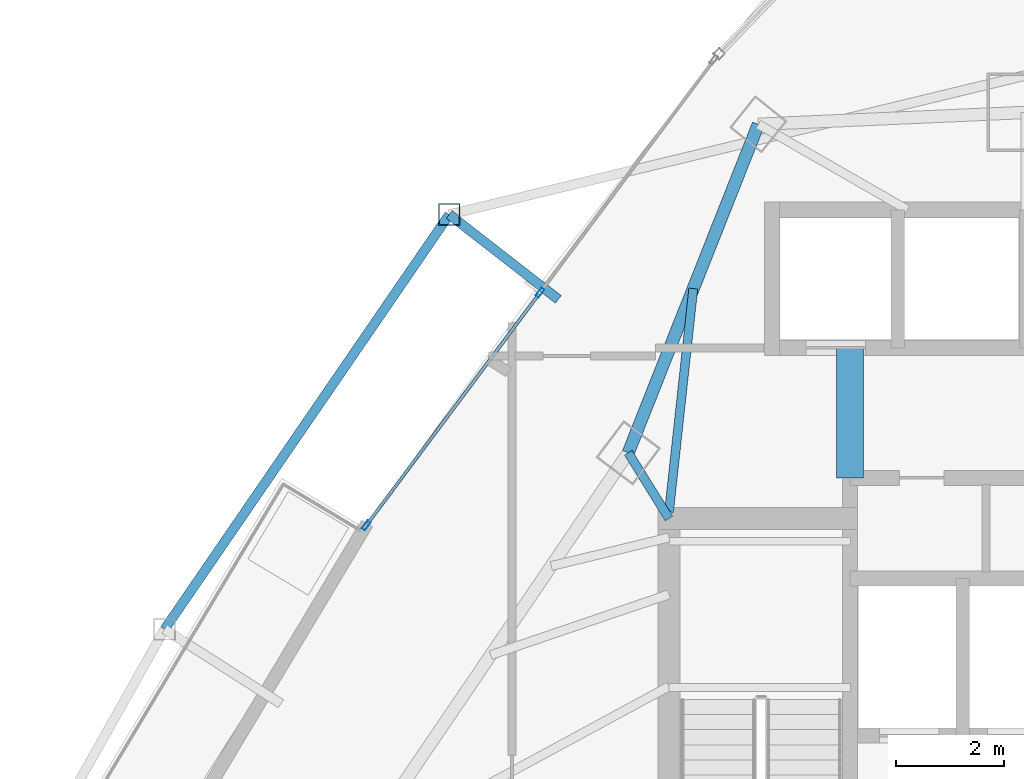
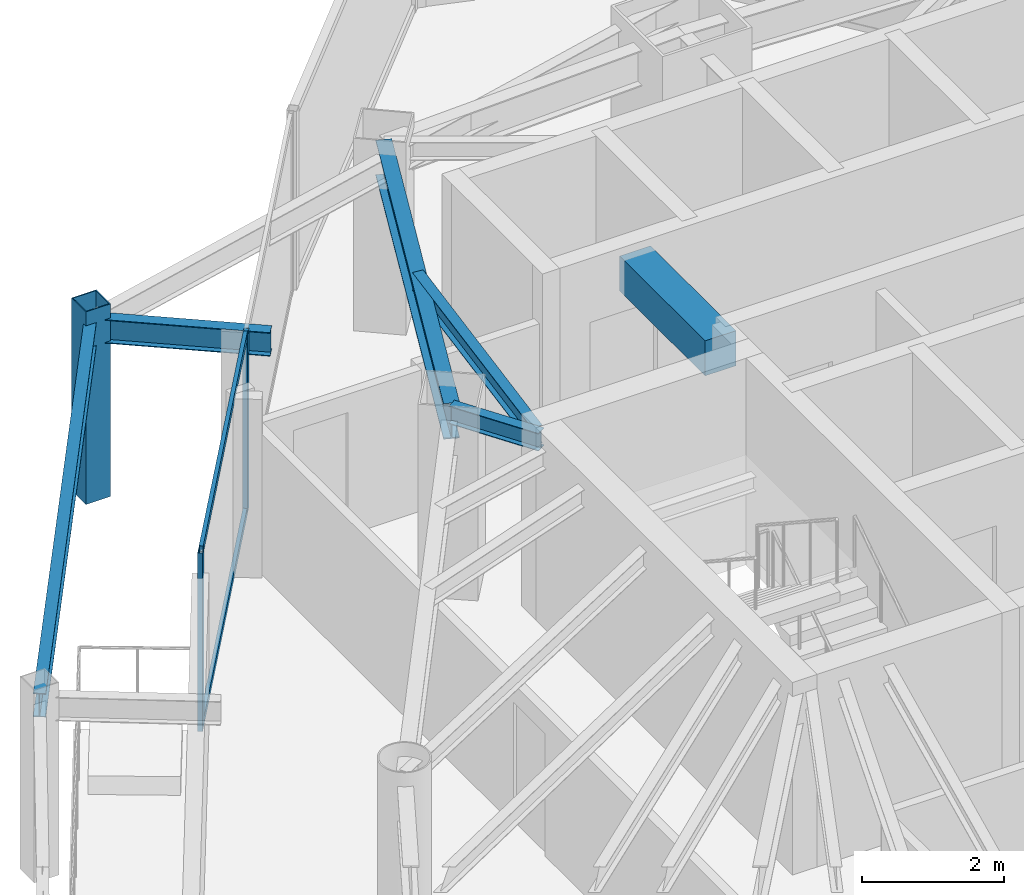
# One storey, part 19 of 29: 6 beams, 5 members, 1 element without a shape of its own.
"""IFC4 building model written with IfcOpenShell, lengths in metres."""

from ifc_helpers import new_model, si_unit, direction, frame, origin, origin_2d, place, context, subcontext, project, spatial, rectangle, hollow_rectangle, i_section, extrude, material, layer, layer_set, material_profile, profile_set, type_object, element, aggregate, save


model = new_model("IFC4")

# Units and contexts
model_context = context("Model", 3, precision=1e-05, world=origin(), true_north=direction((0.0, 1.0)))
body_context = subcontext(model_context, "Body", "Model", "MODEL_VIEW")
ifc_project = project(units=[si_unit("LENGTHUNIT", "METRE"), si_unit("AREAUNIT", "SQUARE_METRE"), si_unit("VOLUMEUNIT", "CUBIC_METRE"), si_unit("PLANEANGLEUNIT", "RADIAN"), si_unit("MASSUNIT", "GRAM", prefix="KILO")], contexts=[model_context])

# Site, building, storey
site_placement = place(None, origin())
site = spatial("IfcSite", under=ifc_project, at=site_placement, CompositionType="ELEMENT")
building_placement = place(site_placement, origin())
building = spatial("IfcBuilding", under=site, at=building_placement, Name="Orvanel Arch Residences", CompositionType="ELEMENT")
storey_placement = place(building_placement, frame((0.0, 0.0, 173.75)))
storey = spatial("IfcBuildingStorey", under=building, at=storey_placement, Name="L49", CompositionType="ELEMENT", Elevation=173.75)

# Beams
ifc_material_1 = material(Name="Structural steel AS/NZS 3679.1 Grade 300 (300 MPa)", Category="steel")
ifc_material_profile_1 = material_profile(ifc_material_1, i_section(OverallWidth=0.1650390625, OverallDepth=0.303955078125, WebThickness=0.006103515625, FlangeThickness=0.01025390625, at=origin_2d()), Name="310UB40.4")
ifc_profile_set_1 = profile_set([ifc_material_profile_1], Name="Structural steel AS/NZS 3679.1 Grade 300 (300 MPa)")
beam_type_1 = type_object("IfcBeamType", Name="BJ-310UB", PredefinedType="JOIST", material=ifc_profile_set_1)
beam_1_placement = place(storey_placement, frame((26.39990234375, 33.89990234375, 2.907958984375), z_axis=(-0.526843290616, 0.84996243866, 0.0), x_axis=(-0.84996243866, -0.526843290616, 0.0)))
element("IfcBeam", 1, at=beam_1_placement, inside=storey, type_object=beam_type_1, Name="L49 NNW Wing Floor Joist", PredefinedType="JOIST", context=body_context, shape_type="SweptSolid", body=[
    extrude(i_section(OverallWidth=0.1650390625, OverallDepth=0.303955078125, WebThickness=0.006103515625, FlangeThickness=0.01025390625, at=origin_2d()), origin(), (0.0, 0.0, 1.0), 1.42724609375),
])
beam_2_placement = place(storey_placement, frame((26.39990234375, 34.02001953125, 2.907958984375), z_axis=(0.108261441852, 0.99412245735, 0.0), x_axis=(-0.99412245735, 0.108261441852, 0.0)))
element("IfcBeam", 2, at=beam_2_placement, inside=storey, type_object=beam_type_1, Name="L49 NNW2 Wing Floor Joist", PredefinedType="JOIST", context=body_context, shape_type="SweptSolid", body=[
    extrude(i_section(OverallWidth=0.1650390625, OverallDepth=0.303955078125, WebThickness=0.006103515625, FlangeThickness=0.01025390625, at=origin_2d()), origin(), (0.0, 0.0, 1.0), 4.1494140625),
])
ifc_material_2 = material(Name="Concrete S65 (65 MPa)", Category="concrete")
ifc_material_profile_2 = material_profile(ifc_material_2, rectangle(XDim=0.5, YDim=0.60009765625, at=origin_2d()), Name="RC500x600")
ifc_profile_set_2 = profile_set([ifc_material_profile_2], Name="Concrete S65 (65 MPa)")
beam_type_2 = type_object("IfcBeamType", Name="CB-500x600", PredefinedType="LINTEL", material=ifc_profile_set_2)
beam_3_placement = place(storey_placement, frame((29.739990234375, 34.64990234375, 2.760009765625), z_axis=(0.0, 1.0, 0.0), x_axis=(-1.0, 0.0, 0.0)))
element("IfcBeam", 3, at=beam_3_placement, inside=storey, type_object=beam_type_2, Name="L49 West Core Lobby Coupling Lintel Beam", PredefinedType="LINTEL", context=body_context, shape_type="SweptSolid", body=[
    extrude(rectangle(XDim=0.5, YDim=0.60009765625, at=origin_2d()), origin(), (0.0, 0.0, 1.0), 2.400146484375),
])

# Curtain wall, members
ifc_material_3 = material(Name="Bronze-anodised aluminium AA6063-T6", Category="aluminium")
ifc_layer = layer(ifc_material_3, 0.179931640625)
ifc_layer_set = layer_set([ifc_layer], Name="Bronze-anodised aluminium AA6063-T6")
curtain_wall_type = type_object("IfcCurtainWallType", Name="CW3-MID-SYS", PredefinedType="NOTDEFINED", material=ifc_layer_set)
curtain_wall_placement = place(storey_placement, origin())
curtain_wall = element("IfcCurtainWall", 4, at=curtain_wall_placement, inside=storey, type_object=curtain_wall_type, Name="L49 CW3-MID-SYS Unitised Curtain Wall", PredefinedType="NOTDEFINED")
ifc_material_profile_3 = material_profile(ifc_material_3, hollow_rectangle(XDim=0.070068359375, YDim=0.179931640625, WallThickness=0.00439453125, at=origin_2d()), Name="ALU180x70x4.5")
ifc_profile_set_3 = profile_set([ifc_material_profile_3], Name="Bronze-anodised aluminium AA6063-T6")
member_type_1 = type_object("IfcMemberType", Name="MUL-180x70", PredefinedType="MULLION", material=ifc_profile_set_3)
member_1_placement = place(storey_placement, frame((24.01806640625, 38.069091796875, 0.0), z_axis=(0.0, 0.0, 1.0), x_axis=(0.801287325771, -0.598279718492, 0.0)))
member_1 = element("IfcMember", 5, at=member_1_placement, type_object=member_type_1, Name="CW-S3 mullion 2", PredefinedType="MULLION", context=body_context, shape_type="SweptSolid", body=[
    extrude(hollow_rectangle(XDim=0.070068359375, YDim=0.179931640625, WallThickness=0.00439453125, at=origin_2d()), origin(), (0.0, 0.0, 1.0), 3.06005859375),
])
member_2_placement = place(storey_placement, frame((20.808837890625, 33.77099609375, 0.0), z_axis=(0.0, 0.0, 1.0), x_axis=(0.801287325771, -0.598279718492, 0.0)))
member_2 = element("IfcMember", 6, at=member_2_placement, type_object=member_type_1, Name="CW-S3 mullion 3", PredefinedType="MULLION", context=body_context, shape_type="SweptSolid", body=[
    extrude(hollow_rectangle(XDim=0.070068359375, YDim=0.179931640625, WallThickness=0.00439453125, at=origin_2d()), origin(), (0.0, 0.0, 1.0), 3.06005859375),
])

# Beams
ifc_material_profile_4 = material_profile(ifc_material_1, i_section(OverallWidth=0.177978515625, OverallDepth=0.406005859375, WebThickness=0.0078125, FlangeThickness=0.0126953125, at=origin_2d()), Name="410UB59.7")
ifc_profile_set_4 = profile_set([ifc_material_profile_4], Name="Structural steel AS/NZS 3679.1 Grade 300 (300 MPa)")
beam_type_3 = type_object("IfcBeamType", Name="OB-410UB-EXT", PredefinedType="SPANDREL", material=ifc_profile_set_4)
beam_4_placement = place(storey_placement, frame((24.35595703125, 37.946044921875, 2.85693359375), z_axis=(-0.789295512275, 0.614013513127, 0.0), x_axis=(-0.614013513127, -0.789295512275, 0.0)))
element("IfcBeam", 7, at=beam_4_placement, inside=storey, type_object=beam_type_3, Name="L49 Outer Frame Radial Tie Beam 01", PredefinedType="SPANDREL", context=body_context, shape_type="SweptSolid", body=[
    extrude(i_section(OverallWidth=0.177978515625, OverallDepth=0.406005859375, WebThickness=0.0078125, FlangeThickness=0.0126953125, at=origin_2d()), origin(), (0.0, 0.0, 1.0), 2.55029296875),
])
beam_5_placement = place(storey_placement, frame((22.343017578125, 39.511962890625, 2.85693359375), z_axis=(-0.565911858994, -0.824465746923, 0.0), x_axis=(0.824465746923, -0.565911858994, 0.0)))
element("IfcBeam", 8, at=beam_5_placement, inside=storey, type_object=beam_type_3, Name="L49 Outer Perimeter Floor Ring Beam 01", PredefinedType="SPANDREL", context=body_context, shape_type="SweptSolid", body=[
    extrude(i_section(OverallWidth=0.177978515625, OverallDepth=0.406005859375, WebThickness=0.0078125, FlangeThickness=0.0126953125, at=origin_2d()), origin(), (0.0, 0.0, 1.0), 9.28955078125),
])
ifc_material_profile_5 = material_profile(ifc_material_1, i_section(OverallWidth=0.22900390625, OverallDepth=0.612060546875, WebThickness=0.011962890625, FlangeThickness=0.01953125, at=origin_2d()), Name="610UB125")
ifc_profile_set_5 = profile_set([ifc_material_profile_5], Name="Structural steel AS/NZS 3679.1 Grade 300 (300 MPa)")
beam_type_4 = type_object("IfcBeamType", Name="SP-610UB", PredefinedType="SPANDREL", material=ifc_profile_set_5)
beam_6_placement = place(storey_placement, frame((28.050048828125, 41.177978515625, 2.75390625), z_axis=(-0.368233143579, -0.929733484376, 0.0), x_axis=(0.929733484376, -0.368233143579, 0.0)))
element("IfcBeam", 9, at=beam_6_placement, inside=storey, type_object=beam_type_4, Name="L49 Perimeter Spandrel Beam 16", PredefinedType="SPANDREL", context=body_context, shape_type="SweptSolid", body=[
    extrude(i_section(OverallWidth=0.22900390625, OverallDepth=0.612060546875, WebThickness=0.011962890625, FlangeThickness=0.01953125, at=origin_2d()), origin(), (0.0, 0.0, 1.0), 6.523193359375),
])

# Member
ifc_material_4 = material(Name="Structural steel AS/NZS 1163 C450L0 (Grade 450)", Category="steel")
ifc_material_profile_6 = material_profile(ifc_material_4, hollow_rectangle(XDim=0.39990234375, YDim=0.39990234375, WallThickness=0.01611328125, at=origin_2d()), Name="SHS400x400x16")
ifc_profile_set_6 = profile_set([ifc_material_profile_6], Name="Structural steel AS/NZS 1163 C450L0 (Grade 450)")
member_type_2 = type_object("IfcMemberType", Name="ST-400SHS-EXT", PredefinedType="STRUT", material=ifc_profile_set_6)
member_3_placement = place(storey_placement, frame((22.343017578125, 39.511962890625, 0.0), z_axis=(0.0, 0.0, 1.0), x_axis=(1.0, 0.0, 0.0)))
element("IfcMember", 10, at=member_3_placement, inside=storey, type_object=member_type_2, Name="L49 Outer Perimeter Frame Post 01", PredefinedType="STRUT", context=body_context, shape_type="SweptSolid", body=[
    extrude(hollow_rectangle(XDim=0.39990234375, YDim=0.39990234375, WallThickness=0.01611328125, at=origin_2d()), origin(), (0.0, 0.0, 1.0), 3.300048828125),
])

ifc_material_profile_7 = material_profile(ifc_material_3, hollow_rectangle(XDim=0.06005859375, YDim=0.135009765625, WallThickness=0.00390625, at=origin_2d()), Name="ALU135x60x4")
ifc_profile_set_7 = profile_set([ifc_material_profile_7], Name="Bronze-anodised aluminium AA6063-T6")
member_type_3 = type_object("IfcMemberType", Name="TRN-135x60", PredefinedType="USERDEFINED", material=ifc_profile_set_7)
member_4_placement = place(storey_placement, frame((23.9970703125, 38.041015625, 0.030029296875), z_axis=(-0.598279362575, -0.801287591516, 0.0), x_axis=(0.801287591516, -0.598279362575, 0.0)))
member_4 = element("IfcMember", 11, at=member_4_placement, type_object=member_type_3, Name="CW-S3 transom 2.1", ObjectType="TRANSOM", PredefinedType="USERDEFINED", context=body_context, shape_type="SweptSolid", body=[
    extrude(hollow_rectangle(XDim=0.06005859375, YDim=0.135009765625, WallThickness=0.00390625, at=origin_2d()), origin(), (0.0, 0.0, 1.0), 5.2939453125),
])

member_5_placement = place(storey_placement, frame((23.9970703125, 38.041015625, 3.030029296875), z_axis=(-0.598279362575, -0.801287591516, 0.0), x_axis=(0.801287591516, -0.598279362575, 0.0)))
member_5 = element("IfcMember", 12, at=member_5_placement, type_object=member_type_3, Name="CW-S3 transom 2.2", ObjectType="TRANSOM", PredefinedType="USERDEFINED", context=body_context, shape_type="SweptSolid", body=[
    extrude(hollow_rectangle(XDim=0.06005859375, YDim=0.135009765625, WallThickness=0.00390625, at=origin_2d()), origin(), (0.0, 0.0, 1.0), 5.2939453125),
])

aggregate(curtain_wall, [member_1, member_2, member_4, member_5])

save(model, "model.ifc")
